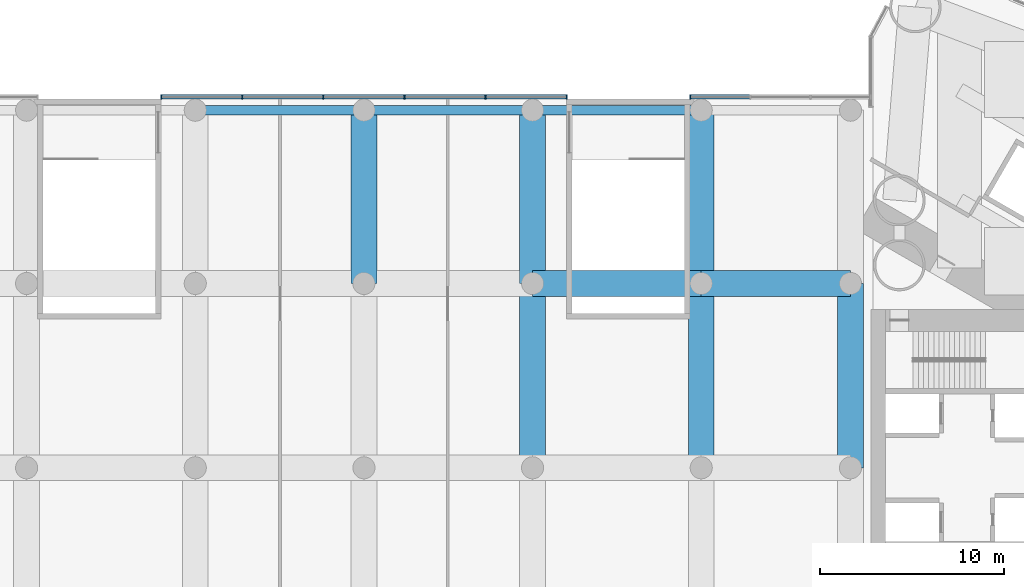
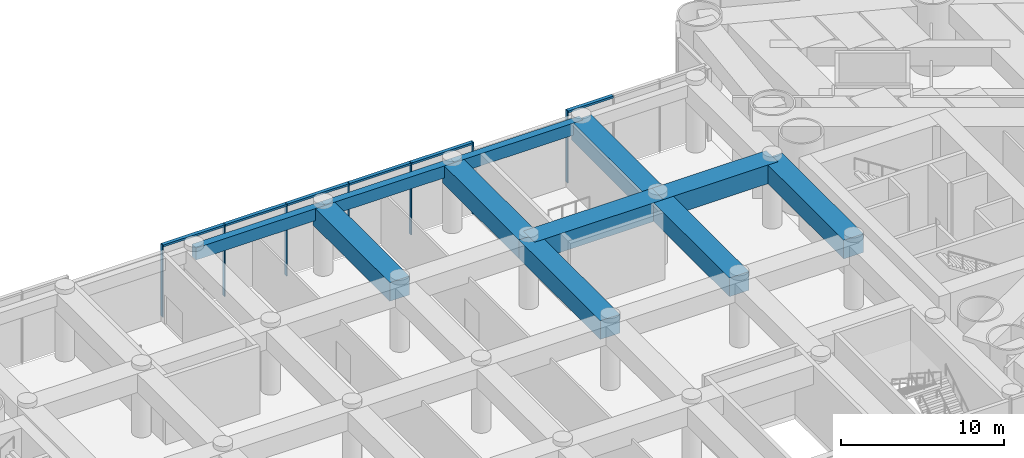
# One storey, part 9 of 20: 13 members, 11 beams, 2 elements without a shape of their own.
"""IFC4 building model written with IfcOpenShell, lengths in metres."""

from ifc_helpers import new_model, si_unit, direction, frame, origin, origin_2d, place, context, subcontext, project, spatial, rectangle, extrude, material, material_profile, profile_set, type_object, element, aggregate, save


model = new_model("IFC4")

# Units and contexts
model_context = context("Model", 3, precision=1e-05, world=origin(), true_north=direction((0.0, 1.0)))
body_context = subcontext(model_context, "Body", "Model", "MODEL_VIEW")
ifc_project = project(units=[si_unit("LENGTHUNIT", "METRE"), si_unit("AREAUNIT", "SQUARE_METRE"), si_unit("VOLUMEUNIT", "CUBIC_METRE"), si_unit("PLANEANGLEUNIT", "RADIAN"), si_unit("MASSUNIT", "GRAM", prefix="KILO")], contexts=[model_context])

# Site, building, storey
site_placement = place(None, origin())
site = spatial("IfcSite", under=ifc_project, at=site_placement, CompositionType="ELEMENT")
building_placement = place(site_placement, origin())
building = spatial("IfcBuilding", under=site, at=building_placement, Name="Lancet Gate Hotel", CompositionType="ELEMENT")
storey_placement = place(building_placement, frame((0.0, 0.0, 7.199951171875)))
storey = spatial("IfcBuildingStorey", under=building, at=storey_placement, Name="L01", CompositionType="ELEMENT", Elevation=7.199951171875)

# Curtain wall, members
ifc_material_1 = material(Name="Aluminium curtain wall", Category="aluminium")
curtain_wall_type = type_object("IfcCurtainWallType", Name="Podium curtain wall", PredefinedType="USERDEFINED", material=ifc_material_1)
curtain_wall_1_placement = place(storey_placement, origin())
curtain_wall_1 = element("IfcCurtainWall", 1, at=curtain_wall_1_placement, inside=storey, type_object=curtain_wall_type, Name="Podium L01 curtain wall N2", ObjectType="UNITISED CURTAIN WALL", PredefinedType="USERDEFINED")
ifc_material_2 = material(Name="Aluminium mullion", Category="aluminium")
ifc_material_profile_1 = material_profile(ifc_material_2, rectangle(XDim=0.06494140625, YDim=0.25, at=origin_2d()), Name="MULLION 65x250")
ifc_profile_set_1 = profile_set([ifc_material_profile_1], Name="Aluminium mullion")
member_type_1 = type_object("IfcMemberType", Name="Aluminium mullion 65x250", PredefinedType="MULLION", material=ifc_profile_set_1)
member_1_placement = place(storey_placement, frame((11.0, 20.1201171875, 0.0), z_axis=(0.0, 0.0, 1.0), x_axis=(-1.0, 0.0, 0.0)))
member_1 = element("IfcMember", 2, at=member_1_placement, type_object=member_type_1, Name="Podium L01 curtain wall N2 mullion 1", PredefinedType="MULLION", context=body_context, shape_type="SweptSolid", body=[
    extrude(rectangle(XDim=0.06494140625, YDim=0.25, at=origin_2d()), origin(), (0.0, 0.0, 1.0), 5.400146484375),
])
member_2_placement = place(storey_placement, frame((6.60009765625, 20.1201171875, 0.0), z_axis=(0.0, 0.0, 1.0), x_axis=(-1.0, 0.0, 0.0)))
member_2 = element("IfcMember", 3, at=member_2_placement, type_object=member_type_1, Name="Podium L01 curtain wall N2 mullion 2", PredefinedType="MULLION", context=body_context, shape_type="SweptSolid", body=[
    extrude(rectangle(XDim=0.06494140625, YDim=0.25, at=origin_2d()), origin(), (0.0, 0.0, 1.0), 5.400146484375),
])
member_3_placement = place(storey_placement, frame((2.199951171875, 20.1201171875, 0.0), z_axis=(0.0, 0.0, 1.0), x_axis=(-1.0, 0.0, 0.0)))
member_3 = element("IfcMember", 4, at=member_3_placement, type_object=member_type_1, Name="Podium L01 curtain wall N2 mullion 3", PredefinedType="MULLION", context=body_context, shape_type="SweptSolid", body=[
    extrude(rectangle(XDim=0.06494140625, YDim=0.25, at=origin_2d()), origin(), (0.0, 0.0, 1.0), 5.400146484375),
])
member_4_placement = place(storey_placement, frame((-2.199951171875, 20.1201171875, 0.0), z_axis=(0.0, 0.0, 1.0), x_axis=(-1.0, 0.0, 0.0)))
member_4 = element("IfcMember", 5, at=member_4_placement, type_object=member_type_1, Name="Podium L01 curtain wall N2 mullion 4", PredefinedType="MULLION", context=body_context, shape_type="SweptSolid", body=[
    extrude(rectangle(XDim=0.06494140625, YDim=0.25, at=origin_2d()), origin(), (0.0, 0.0, 1.0), 5.400146484375),
])
member_5_placement = place(storey_placement, frame((-6.60009765625, 20.1201171875, 0.0), z_axis=(0.0, 0.0, 1.0), x_axis=(-1.0, 0.0, 0.0)))
member_5 = element("IfcMember", 6, at=member_5_placement, type_object=member_type_1, Name="Podium L01 curtain wall N2 mullion 5", PredefinedType="MULLION", context=body_context, shape_type="SweptSolid", body=[
    extrude(rectangle(XDim=0.06494140625, YDim=0.25, at=origin_2d()), origin(), (0.0, 0.0, 1.0), 5.400146484375),
])
member_6_placement = place(storey_placement, frame((-11.0, 20.1201171875, 0.0), z_axis=(0.0, 0.0, 1.0), x_axis=(-1.0, 0.0, 0.0)))
member_6 = element("IfcMember", 7, at=member_6_placement, type_object=member_type_1, Name="Podium L01 curtain wall N2 mullion 6", PredefinedType="MULLION", context=body_context, shape_type="SweptSolid", body=[
    extrude(rectangle(XDim=0.06494140625, YDim=0.25, at=origin_2d()), origin(), (0.0, 0.0, 1.0), 5.400146484375),
])

# Curtain wall, member
curtain_wall_2_placement = place(storey_placement, origin())
curtain_wall_2 = element("IfcCurtainWall", 8, at=curtain_wall_2_placement, inside=storey, type_object=curtain_wall_type, Name="Podium L01 curtain wall N3", ObjectType="UNITISED CURTAIN WALL", PredefinedType="USERDEFINED")
member_7_placement = place(storey_placement, frame((17.699951171875, 20.1201171875, 0.0), z_axis=(0.0, 0.0, 1.0), x_axis=(-1.0, 0.0, 0.0)))
member_7 = element("IfcMember", 9, at=member_7_placement, type_object=member_type_1, Name="Podium L01 curtain wall N3 mullion 4", PredefinedType="MULLION", context=body_context, shape_type="SweptSolid", body=[
    extrude(rectangle(XDim=0.06494140625, YDim=0.25, at=origin_2d()), origin(), (0.0, 0.0, 1.0), 5.400146484375),
])

# Member
ifc_material_3 = material(Name="Aluminium transom", Category="aluminium")
ifc_material_profile_2 = material_profile(ifc_material_3, rectangle(XDim=0.25, YDim=0.14990234375, at=origin_2d()), Name="TRANSOM 250x150")
ifc_profile_set_2 = profile_set([ifc_material_profile_2], Name="Aluminium transom")
member_type_2 = type_object("IfcMemberType", Name="Aluminium transom 250x150", PredefinedType="USERDEFINED", material=ifc_profile_set_2)
member_8_placement = place(storey_placement, frame((10.967529296875, 20.1201171875, 5.324951171875), z_axis=(-1.0, 0.0, 0.0), x_axis=(0.0, -1.0, 0.0)))
member_8 = element("IfcMember", 10, at=member_8_placement, type_object=member_type_2, Name="Podium L01 curtain wall N2 transom 1", ObjectType="TRANSOM", PredefinedType="USERDEFINED", context=body_context, shape_type="SweptSolid", body=[
    extrude(rectangle(XDim=0.25, YDim=0.14990234375, at=origin_2d()), origin(), (0.0, 0.0, 1.0), 4.3349609375),
])

member_9_placement = place(storey_placement, frame((6.5673828125, 20.1201171875, 5.324951171875), z_axis=(-1.0, 0.0, 0.0), x_axis=(0.0, -1.0, 0.0)))
member_9 = element("IfcMember", 11, at=member_9_placement, type_object=member_type_2, Name="Podium L01 curtain wall N2 transom 2", ObjectType="TRANSOM", PredefinedType="USERDEFINED", context=body_context, shape_type="SweptSolid", body=[
    extrude(rectangle(XDim=0.25, YDim=0.14990234375, at=origin_2d()), origin(), (0.0, 0.0, 1.0), 4.3349609375),
])

member_10_placement = place(storey_placement, frame((2.16748046875, 20.1201171875, 5.324951171875), z_axis=(-1.0, 0.0, 0.0), x_axis=(0.0, -1.0, 0.0)))
member_10 = element("IfcMember", 12, at=member_10_placement, type_object=member_type_2, Name="Podium L01 curtain wall N2 transom 3", ObjectType="TRANSOM", PredefinedType="USERDEFINED", context=body_context, shape_type="SweptSolid", body=[
    extrude(rectangle(XDim=0.25, YDim=0.14990234375, at=origin_2d()), origin(), (0.0, 0.0, 1.0), 4.3349609375),
])

member_11_placement = place(storey_placement, frame((-2.232421875, 20.1201171875, 5.324951171875), z_axis=(-1.0, 0.0, 0.0), x_axis=(0.0, -1.0, 0.0)))
member_11 = element("IfcMember", 13, at=member_11_placement, type_object=member_type_2, Name="Podium L01 curtain wall N2 transom 4", ObjectType="TRANSOM", PredefinedType="USERDEFINED", context=body_context, shape_type="SweptSolid", body=[
    extrude(rectangle(XDim=0.25, YDim=0.14990234375, at=origin_2d()), origin(), (0.0, 0.0, 1.0), 4.3349609375),
])

member_12_placement = place(storey_placement, frame((-6.632568359375, 20.1201171875, 5.324951171875), z_axis=(-1.0, 0.0, 0.0), x_axis=(0.0, -1.0, 0.0)))
member_12 = element("IfcMember", 14, at=member_12_placement, type_object=member_type_2, Name="Podium L01 curtain wall N2 transom 5", ObjectType="TRANSOM", PredefinedType="USERDEFINED", context=body_context, shape_type="SweptSolid", body=[
    extrude(rectangle(XDim=0.25, YDim=0.14990234375, at=origin_2d()), origin(), (0.0, 0.0, 1.0), 4.3349609375),
])

aggregate(curtain_wall_1, [member_1, member_2, member_3, member_4, member_5, member_6, member_8, member_9, member_10, member_11, member_12])

member_13_placement = place(storey_placement, frame((20.93408203125, 20.1201171875, 5.324951171875), z_axis=(-1.0, 0.0, 0.0), x_axis=(0.0, -1.0, 0.0)))
member_13 = element("IfcMember", 15, at=member_13_placement, type_object=member_type_2, Name="Podium L01 curtain wall N3 transom 3", ObjectType="TRANSOM", PredefinedType="USERDEFINED", context=body_context, shape_type="SweptSolid", body=[
    extrude(rectangle(XDim=0.25, YDim=0.14990234375, at=origin_2d()), origin(), (0.0, 0.0, 1.0), 3.20166015625),
])

aggregate(curtain_wall_2, [member_7, member_13])

# Beams
ifc_material_4 = material(Name="Concrete C50/60", Category="concrete")
ifc_material_profile_3 = material_profile(ifc_material_4, rectangle(XDim=1.39990234375, YDim=1.39990234375, at=origin_2d()), Name="RC 1400x1400")
ifc_profile_set_3 = profile_set([ifc_material_profile_3], Name="Concrete C50/60")
beam_type_1 = type_object("IfcBeamType", Name="Podium beam RC 1400x1400", PredefinedType="BEAM", material=ifc_profile_set_3)
beam_1_placement = place(storey_placement, frame((9.14990234375, 10.0, 4.35009765625), z_axis=(1.0, 0.0, 0.0), x_axis=(0.0, 1.0, 0.0)))
element("IfcBeam", 16, at=beam_1_placement, inside=storey, type_object=beam_type_1, Name="Podium beam D/5-6 L01", PredefinedType="BEAM", context=body_context, shape_type="SweptSolid", body=[
    extrude(rectangle(XDim=1.39990234375, YDim=1.39990234375, at=origin_2d()), origin(), (0.0, 0.0, 1.0), 9.150146484375),
])
beam_2_placement = place(storey_placement, frame((18.300048828125, 10.0, 4.35009765625), z_axis=(1.0, 0.0, 0.0), x_axis=(0.0, 1.0, 0.0)))
element("IfcBeam", 17, at=beam_2_placement, inside=storey, type_object=beam_type_1, Name="Podium beam D/6-7 L01", PredefinedType="BEAM", context=body_context, shape_type="SweptSolid", body=[
    extrude(rectangle(XDim=1.39990234375, YDim=1.39990234375, at=origin_2d()), origin(), (0.0, 0.0, 1.0), 8.099853515625),
])
beam_3_placement = place(storey_placement, frame((0.0, 10.0, 4.35009765625), z_axis=(0.0, 1.0, 0.0), x_axis=(-1.0, 0.0, 0.0)))
element("IfcBeam", 18, at=beam_3_placement, inside=storey, type_object=beam_type_1, Name="Podium beam 4/D-E L01", PredefinedType="BEAM", context=body_context, shape_type="SweptSolid", body=[
    extrude(rectangle(XDim=1.39990234375, YDim=1.39990234375, at=origin_2d()), origin(), (0.0, 0.0, 1.0), 9.39990234375),
])
beam_4_placement = place(storey_placement, frame((9.14990234375, 0.0, 4.35009765625), z_axis=(0.0, 1.0, 0.0), x_axis=(-1.0, 0.0, 0.0)))
element("IfcBeam", 19, at=beam_4_placement, inside=storey, type_object=beam_type_1, Name="Podium beam 5/C-D L01", PredefinedType="BEAM", context=body_context, shape_type="SweptSolid", body=[
    extrude(rectangle(XDim=1.39990234375, YDim=1.39990234375, at=origin_2d()), origin(), (0.0, 0.0, 1.0), 10.0),
])
beam_5_placement = place(storey_placement, frame((9.14990234375, 10.0, 4.35009765625), z_axis=(0.0, 1.0, 0.0), x_axis=(-1.0, 0.0, 0.0)))
element("IfcBeam", 20, at=beam_5_placement, inside=storey, type_object=beam_type_1, Name="Podium beam 5/D-E L01", PredefinedType="BEAM", context=body_context, shape_type="SweptSolid", body=[
    extrude(rectangle(XDim=1.39990234375, YDim=1.39990234375, at=origin_2d()), origin(), (0.0, 0.0, 1.0), 9.39990234375),
])
beam_6_placement = place(storey_placement, frame((18.300048828125, 0.0, 4.35009765625), z_axis=(0.0, 1.0, 0.0), x_axis=(-1.0, 0.0, 0.0)))
element("IfcBeam", 21, at=beam_6_placement, inside=storey, type_object=beam_type_1, Name="Podium beam 6/C-D L01", PredefinedType="BEAM", context=body_context, shape_type="SweptSolid", body=[
    extrude(rectangle(XDim=1.39990234375, YDim=1.39990234375, at=origin_2d()), origin(), (0.0, 0.0, 1.0), 10.0),
])
beam_7_placement = place(storey_placement, frame((18.300048828125, 10.0, 4.35009765625), z_axis=(0.0, 1.0, 0.0), x_axis=(-1.0, 0.0, 0.0)))
element("IfcBeam", 22, at=beam_7_placement, inside=storey, type_object=beam_type_1, Name="Podium beam 6/D-E L01", PredefinedType="BEAM", context=body_context, shape_type="SweptSolid", body=[
    extrude(rectangle(XDim=1.39990234375, YDim=1.39990234375, at=origin_2d()), origin(), (0.0, 0.0, 1.0), 9.39990234375),
])
beam_8_placement = place(storey_placement, frame((26.39990234375, 0.0, 4.35009765625), z_axis=(0.0, 1.0, 0.0), x_axis=(-1.0, 0.0, 0.0)))
element("IfcBeam", 23, at=beam_8_placement, inside=storey, type_object=beam_type_1, Name="Podium beam 7/C-D L01", PredefinedType="BEAM", context=body_context, shape_type="SweptSolid", body=[
    extrude(rectangle(XDim=1.39990234375, YDim=1.39990234375, at=origin_2d()), origin(), (0.0, 0.0, 1.0), 10.0),
])
ifc_material_5 = material(Name="Concrete C50/60", Category="concrete")
ifc_material_profile_4 = material_profile(ifc_material_5, rectangle(XDim=0.5, YDim=0.89990234375, at=origin_2d()), Name="RC 500x900")
ifc_profile_set_4 = profile_set([ifc_material_profile_4], Name="Concrete C50/60")
beam_type_2 = type_object("IfcBeamType", Name="Podium edge beam RC 500x900", PredefinedType="BEAM", material=ifc_profile_set_4)
for number, where, z_axis, x_axis, name in (
    (24, (-9.14990234375, 19.39990234375, 4.60009765625), (1.0, 0.0, 0.0), (0.0, 1.0, 0.0), "Podium beam E/3-4 L01"),
    (25, (0.0, 19.39990234375, 4.60009765625), (1.0, 0.0, 0.0), (0.0, 1.0, 0.0), "Podium beam E/4-5 L01"),
):
    element("IfcBeam", number, at=place(storey_placement, frame(where, z_axis=z_axis, x_axis=x_axis)), inside=storey, type_object=beam_type_2, Name=name, PredefinedType="BEAM", context=body_context, shape_type="SweptSolid", body=[
        extrude(rectangle(XDim=0.5, YDim=0.89990234375, at=origin_2d()), origin(), (0.0, 0.0, 1.0), 9.14990234375),
    ])
beam_9_placement = place(storey_placement, frame((9.14990234375, 19.39990234375, 4.60009765625), z_axis=(1.0, 0.0, 0.0), x_axis=(0.0, 1.0, 0.0)))
element("IfcBeam", 26, at=beam_9_placement, inside=storey, type_object=beam_type_2, Name="Podium beam E/5-6 L01", PredefinedType="BEAM", context=body_context, shape_type="SweptSolid", body=[
    extrude(rectangle(XDim=0.5, YDim=0.89990234375, at=origin_2d()), origin(), (0.0, 0.0, 1.0), 9.150146484375),
])

save(model, "model.ifc")
